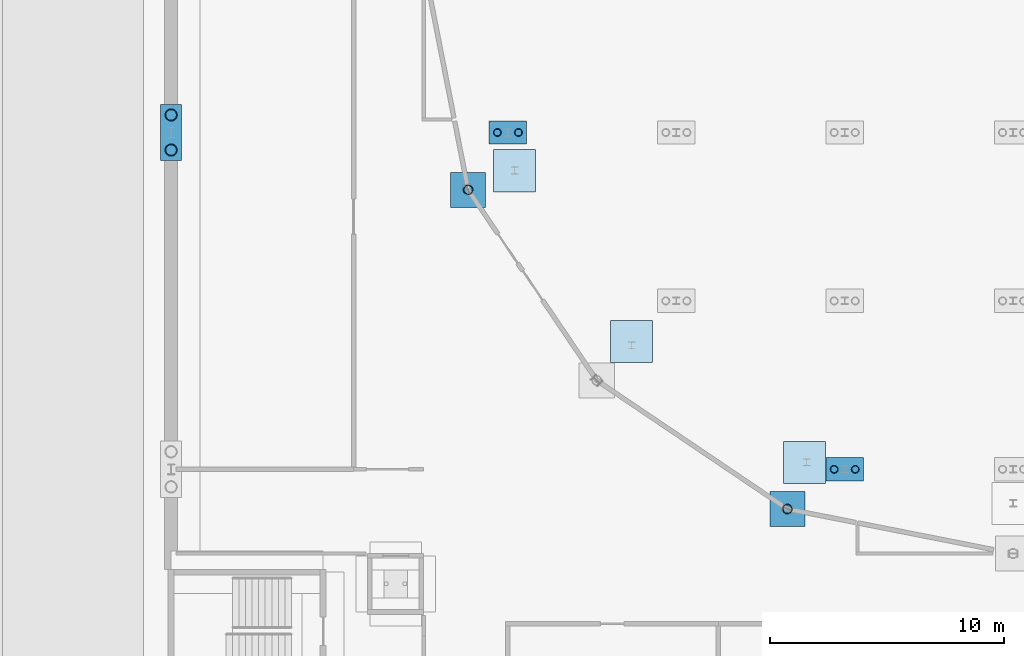
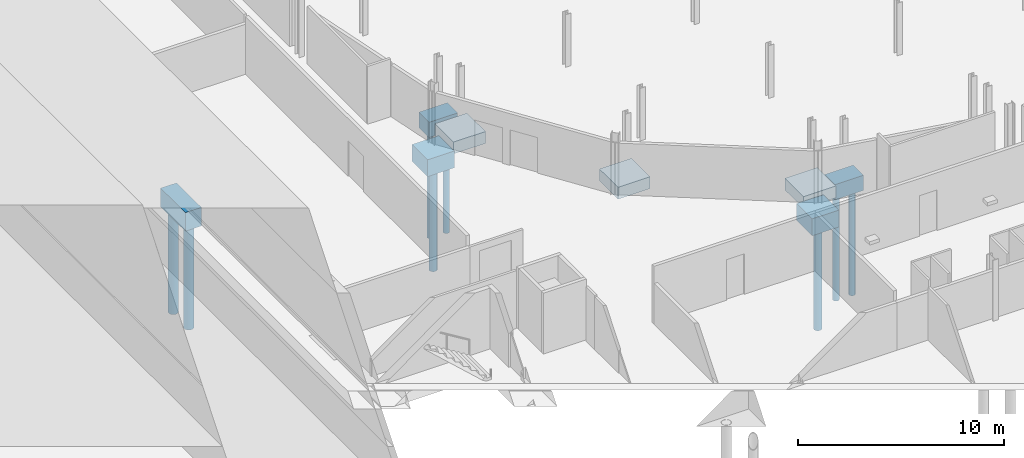
# One storey, part 7 of 148: 8 footings, 8 piles.
"""IFC4 building model written with IfcOpenShell, lengths in metres."""

from ifc_helpers import new_model, si_unit, direction, frame, origin, origin_2d, place, context, subcontext, project, spatial, rectangle, hollow_circle, extrude, material, layer, layer_set, material_profile, profile_set, type_object, element, save


model = new_model("IFC4")

# Units and contexts
model_context = context("Model", 3, precision=1e-05, world=origin(), true_north=direction((0.0, 1.0)))
body_context = subcontext(model_context, "Body", "Model", "MODEL_VIEW")
ifc_project = project(units=[si_unit("LENGTHUNIT", "METRE"), si_unit("AREAUNIT", "SQUARE_METRE"), si_unit("VOLUMEUNIT", "CUBIC_METRE"), si_unit("PLANEANGLEUNIT", "RADIAN"), si_unit("MASSUNIT", "GRAM", prefix="KILO")], contexts=[model_context])

# Site, building, storey
site_placement = place(None, origin())
site = spatial("IfcSite", under=ifc_project, at=site_placement, CompositionType="ELEMENT")
building_placement = place(site_placement, origin())
building = spatial("IfcBuilding", under=site, at=building_placement, Name="Kupolbacken Congress Centre", CompositionType="ELEMENT")
storey_placement = place(building_placement, origin())
storey = spatial("IfcBuildingStorey", under=building, at=storey_placement, Name="L00", CompositionType="ELEMENT", Elevation=0.0)

# Footings
ifc_material_1 = material(Name="Concrete C30/37", Category="concrete")
ifc_layer_1 = layer(ifc_material_1, 1.10009765625)
ifc_layer_set_1 = layer_set([ifc_layer_1], Name="Concrete C30/37")
footing_type_1 = type_object("IfcFootingType", Name="PC2 pile cap 2.40 x 0.90 x 1.10 m", PredefinedType="PILE_CAP", material=ifc_layer_set_1)
footing_placement = place(storey_placement, frame((7.199951171875, 79.199951171875, -1.400146484375), z_axis=(0.0, 0.0, 1.0), x_axis=(1.0, 0.0, 0.0)))
element("IfcFooting", 1, at=footing_placement, inside=storey, type_object=footing_type_1, Name="S/fnd/C-P-2M/cap", PredefinedType="PILE_CAP", context=body_context, shape_type="SweptSolid", body=[
    extrude(rectangle(XDim=0.89990234375, YDim=2.39990234375, at=origin_2d()), origin(), (0.0, 0.0, 1.0), 1.10009765625),
])
ifc_material_2 = material(Name="Concrete C30/37", Category="concrete")
ifc_layer_2 = layer(ifc_material_2, 0.89990234375)
ifc_layer_set_2 = layer_set([ifc_layer_2], Name="Concrete C30/37")
footing_type_2 = type_object("IfcFootingType", Name="PC7 pile cap 1.60 x 1.00 x 0.90 m", PredefinedType="PILE_CAP", material=ifc_layer_set_2)
for number, where, z_axis, x_axis, name in (
    (2, (21.60009765625, 79.199951171875, -1.199951171875), (0.0, 0.0, 1.0), (1.0, 0.0, 0.0), "S/fnd/C-PL-216-792/cap"),
    (3, (36.0, 64.800048828125, -1.199951171875), (0.0, 0.0, 1.0), (1.0, 0.0, 0.0), "S/fnd/C-PL-360-648/cap"),
):
    element("IfcFooting", number, at=place(storey_placement, frame(where, z_axis=z_axis, x_axis=x_axis)), inside=storey, type_object=footing_type_2, Name=name, PredefinedType="PILE_CAP", context=body_context, shape_type="SweptSolid", body=[
        extrude(rectangle(XDim=1.60009765625, YDim=1.0, at=origin_2d()), origin(), (0.0, 0.0, 1.0), 0.89990234375),
    ])
ifc_material_3 = material(Name="Concrete C30/37", Category="concrete")
ifc_layer_3 = layer(ifc_material_3, 1.0)
ifc_layer_set_3 = layer_set([ifc_layer_3], Name="Concrete C30/37")
footing_type_3 = type_object("IfcFootingType", Name="PC8 pile cap 1.50 x 1.50 x 1.00 m", PredefinedType="PILE_CAP", material=ifc_layer_set_3)
for number, where, z_axis, x_axis, name in (
    (4, (19.89990234375, 76.75, -1.300048828125), (0.0, 0.0, 1.0), (1.0, 0.0, 0.0), "S/fnd/C-D10/cap"),
    (5, (33.550048828125, 63.10009765625, -1.300048828125), (0.0, 0.0, 1.0), (1.0, 0.0, 0.0), "S/fnd/C-D12/cap"),
):
    element("IfcFooting", number, at=place(storey_placement, frame(where, z_axis=z_axis, x_axis=x_axis)), inside=storey, type_object=footing_type_3, Name=name, PredefinedType="PILE_CAP", context=body_context, shape_type="SweptSolid", body=[
        extrude(rectangle(XDim=1.5, YDim=1.5, at=origin_2d()), origin(), (0.0, 0.0, 1.0), 1.0),
    ])
ifc_material_4 = material(Name="Concrete C30/37", Category="concrete")
ifc_layer_4 = layer(ifc_material_4, 0.699951171875)
ifc_layer_set_4 = layer_set([ifc_layer_4], Name="Concrete C30/37")
footing_type_4 = type_object("IfcFootingType", Name="PD4 pad footing 1.80 x 1.80 x 0.70 m", PredefinedType="PAD_FOOTING", material=ifc_layer_set_4)
for number, where, z_axis, x_axis, name in (
    (6, (21.886474609375, 77.565673828125, -1.0), (0.0, 0.0, 1.0), (1.0, 0.0, 0.0), "PD/ring/pad/2025"),
    (7, (26.885009765625, 70.264892578125, -1.0), (0.0, 0.0, 1.0), (1.0, 0.0, 0.0), "PD/ring/pad/2250"),
    (8, (34.28564453125, 65.08642578125, -1.0), (0.0, 0.0, 1.0), (1.0, 0.0, 0.0), "PD/ring/pad/2475"),
):
    element("IfcFooting", number, at=place(storey_placement, frame(where, z_axis=z_axis, x_axis=x_axis)), inside=storey, type_object=footing_type_4, Name=name, PredefinedType="PAD_FOOTING", context=body_context, shape_type="SweptSolid", body=[
        extrude(rectangle(XDim=1.800048828125, YDim=1.800048828125, at=origin_2d()), origin(), (0.0, 0.0, 1.0), 0.699951171875),
    ])

# Piles
ifc_material_5 = material(Name="Steel S355", Category="steel")
ifc_material_profile_1 = material_profile(ifc_material_5, hollow_circle(Radius=0.161865234375, WallThickness=0.012451171875, at=origin_2d()), Name="CHS 323.9 x 12.5")
ifc_profile_set_1 = profile_set([ifc_material_profile_1], Name="Steel S355")
pile_type_1 = type_object("IfcPileType", Name="PL1 steel tube pile CHS 323.9 x 12.5", PredefinedType="BORED", material=ifc_profile_set_1)
for number, where, z_axis, x_axis, name in (
    (9, (21.14990234375, 79.199951171875, -1.199951171875), (0.0, 0.0, -1.0), (1.0, 0.0, 0.0), "S/fnd/C-PL-216-792/pile1"),
    (10, (22.050048828125, 79.199951171875, -1.199951171875), (0.0, 0.0, -1.0), (1.0, 0.0, 0.0), "S/fnd/C-PL-216-792/pile2"),
    (11, (35.550048828125, 64.800048828125, -1.199951171875), (0.0, 0.0, -1.0), (1.0, 0.0, 0.0), "S/fnd/C-PL-360-648/pile1"),
    (12, (36.449951171875, 64.800048828125, -1.199951171875), (0.0, 0.0, -1.0), (1.0, 0.0, 0.0), "S/fnd/C-PL-360-648/pile2"),
):
    element("IfcPile", number, at=place(storey_placement, frame(where, z_axis=z_axis, x_axis=x_axis)), inside=storey, type_object=pile_type_1, Name=name, PredefinedType="BORED", context=body_context, shape_type="SweptSolid", body=[
        extrude(hollow_circle(Radius=0.161865234375, WallThickness=0.012451171875, at=origin_2d()), origin(), (0.0, 0.0, 1.0), 6.300048828125),
    ])
ifc_material_6 = material(Name="Steel S355", Category="steel")
ifc_material_profile_2 = material_profile(ifc_material_6, hollow_circle(Radius=0.203125, WallThickness=0.01611328125, at=origin_2d()), Name="CHS 406.4 x 16")
ifc_profile_set_2 = profile_set([ifc_material_profile_2], Name="Steel S355")
pile_type_2 = type_object("IfcPileType", Name="PL2 steel tube pile CHS 406.4 x 16", PredefinedType="BORED", material=ifc_profile_set_2)
for number, where, z_axis, x_axis, name in (
    (13, (19.89990234375, 76.75, -1.300048828125), (0.0, 0.0, -1.0), (1.0, 0.0, 0.0), "S/fnd/C-D10/pile1"),
    (14, (33.550048828125, 63.10009765625, -1.300048828125), (0.0, 0.0, -1.0), (1.0, 0.0, 0.0), "S/fnd/C-D12/pile1"),
):
    element("IfcPile", number, at=place(storey_placement, frame(where, z_axis=z_axis, x_axis=x_axis)), inside=storey, type_object=pile_type_2, Name=name, PredefinedType="BORED", context=body_context, shape_type="SweptSolid", body=[
        extrude(hollow_circle(Radius=0.203125, WallThickness=0.01611328125, at=origin_2d()), origin(), (0.0, 0.0, 1.0), 6.199951171875),
    ])
ifc_material_7 = material(Name="Steel S355", Category="steel")
ifc_material_profile_3 = material_profile(ifc_material_7, hollow_circle(Radius=0.25390625, WallThickness=0.02001953125, at=origin_2d()), Name="CHS 508 x 20")
ifc_profile_set_3 = profile_set([ifc_material_profile_3], Name="Steel S355")
pile_type_3 = type_object("IfcPileType", Name="PL3 steel tube pile CHS 508 x 20", PredefinedType="BORED", material=ifc_profile_set_3)
for number, where, z_axis, x_axis, name in (
    (15, (7.199951171875, 78.449951171875, -1.39990234375), (0.0, 0.0, -1.0), (1.0, 0.0, 0.0), "S/fnd/C-P-2M/pile1"),
    (16, (7.199951171875, 79.949951171875, -1.39990234375), (0.0, 0.0, -1.0), (1.0, 0.0, 0.0), "S/fnd/C-P-2M/pile2"),
):
    element("IfcPile", number, at=place(storey_placement, frame(where, z_axis=z_axis, x_axis=x_axis)), inside=storey, type_object=pile_type_3, Name=name, PredefinedType="BORED", context=body_context, shape_type="SweptSolid", body=[
        extrude(hollow_circle(Radius=0.25390625, WallThickness=0.02001953125, at=origin_2d()), origin(), (0.0, 0.0, 1.0), 6.10009765625),
    ])

save(model, "model.ifc")
